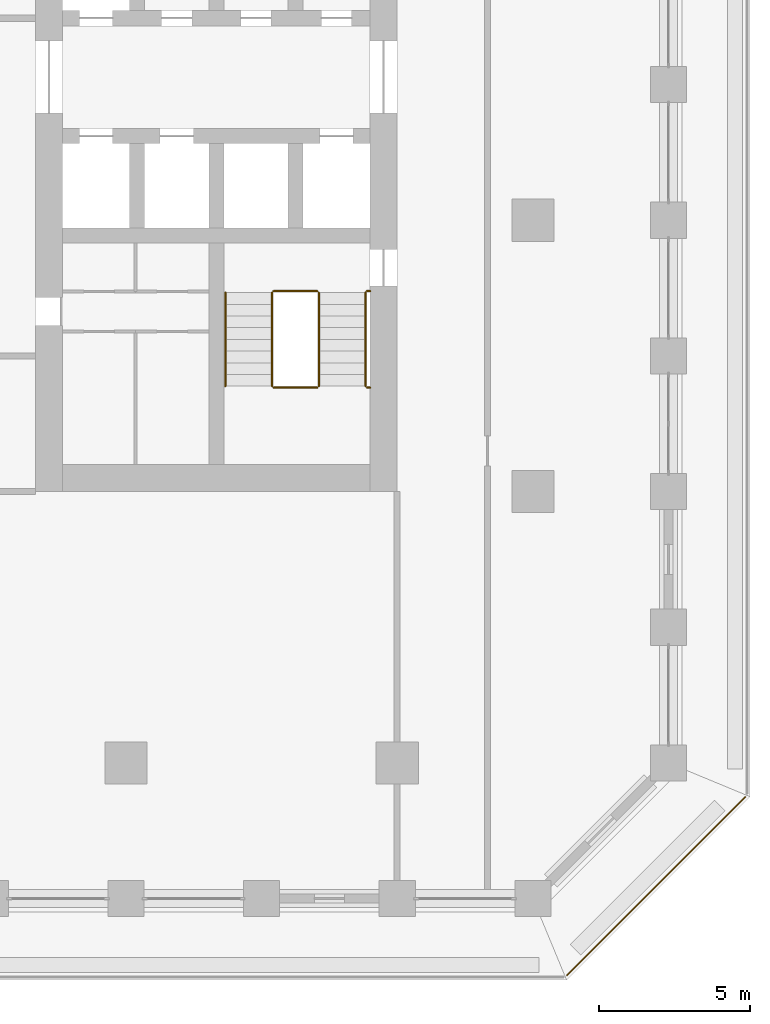
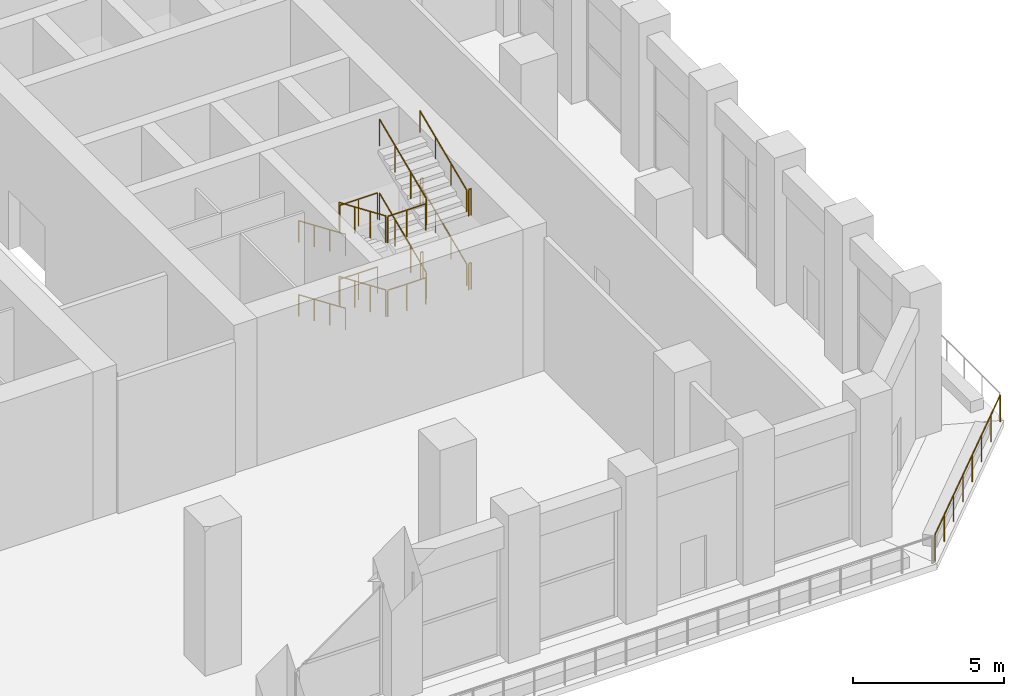
# One storey, part 19 of 24: 17 railings.
"""IFC4 building model written with IfcOpenShell, lengths in metres."""

from ifc_helpers import new_model, si_unit, direction, frame, origin, origin_2d, place, context, subcontext, project, spatial, circle, extrude, material, type_object, element, save


model = new_model("IFC4")

# Units and contexts
model_context = context("Model", 3, precision=1e-05, world=origin(), true_north=direction((0.0, 1.0)))
body_context = subcontext(model_context, "Body", "Model", "MODEL_VIEW")
ifc_project = project(units=[si_unit("LENGTHUNIT", "METRE"), si_unit("AREAUNIT", "SQUARE_METRE"), si_unit("VOLUMEUNIT", "CUBIC_METRE"), si_unit("PLANEANGLEUNIT", "RADIAN"), si_unit("MASSUNIT", "GRAM", prefix="KILO")], contexts=[model_context])

# Site, building, storey
site_placement = place(None, origin())
site = spatial("IfcSite", under=ifc_project, at=site_placement, CompositionType="ELEMENT")
building_placement = place(site_placement, origin())
building = spatial("IfcBuilding", under=site, at=building_placement, Name="Corbel Stack Research Tower", CompositionType="ELEMENT")
storey_placement = place(building_placement, frame((0.0, 0.0, 145.39990234375)))
storey = spatial("IfcBuildingStorey", under=building, at=storey_placement, Name="L33", CompositionType="ELEMENT", Elevation=145.39990234375)

# Railings
ifc_material_1 = material(Name="Steel S355", Category="steel")
railing_type_1 = type_object("IfcRailingType", Name="Stair guard 1100", PredefinedType="GUARDRAIL", material=ifc_material_1)
railing_1_placement = place(storey_placement, frame((13.85009765625, -2.39990234375, 0.166748046875)))
element("IfcRailing", 1, at=railing_1_placement, inside=storey, type_object=railing_type_1, Name="L33 ST-E1 stair guard 1", PredefinedType="GUARDRAIL", context=body_context, shape_type="SweptSolid", body=[
    extrude(circle(Radius=0.02392578125, at=origin_2d()), frame((0.0, 0.0, 1.076171875), z_axis=(0.0, -0.918826996994, 0.394660549834), x_axis=(1.0, 0.0, 0.0)), (0.0, 0.0, 1.0), 3.378173828125),
    extrude(circle(Radius=0.02099609375, at=origin_2d()), origin(), (0.0, 0.0, 1.0), 1.052001953125),
    extrude(circle(Radius=0.02099609375, at=origin_2d()), frame((0.0, -1.03466796875, 0.4443359375)), (0.0, 0.0, 1.0), 1.052001953125),
    extrude(circle(Radius=0.02099609375, at=origin_2d()), frame((0.0, -2.0693359375, 0.888916015625)), (0.0, 0.0, 1.0), 1.052001953125),
    extrude(circle(Radius=0.02099609375, at=origin_2d()), frame((0.0, -3.10400390625, 1.333251953125)), (0.0, 0.0, 1.0), 1.052001953125),
])
railing_2_placement = place(storey_placement, frame((13.89990234375, -5.553955078125, 1.5)))
element("IfcRailing", 2, at=railing_2_placement, inside=storey, type_object=railing_type_1, Name="L33 ST-E1 stair guard 2", PredefinedType="GUARDRAIL", context=body_context, shape_type="SweptSolid", body=[
    extrude(circle(Radius=0.02392578125, at=origin_2d()), frame((0.0, 0.0, 1.076171875), z_axis=(1.0, 0.0, 0.0), x_axis=(0.0, 1.0, 0.0)), (0.0, 0.0, 1.0), 1.4501953125),
    extrude(circle(Radius=0.02099609375, at=origin_2d()), origin(), (0.0, 0.0, 1.0), 1.052001953125),
    extrude(circle(Radius=0.02099609375, at=origin_2d()), frame((0.72509765625, 0.0, 0.0)), (0.0, 0.0, 1.0), 1.052001953125),
    extrude(circle(Radius=0.02099609375, at=origin_2d()), frame((1.4501953125, 0.0, 0.0)), (0.0, 0.0, 1.0), 1.052001953125),
])
railing_3_placement = place(storey_placement, frame((17.0, -5.553955078125, 1.5)))
element("IfcRailing", 3, at=railing_3_placement, inside=storey, type_object=railing_type_1, Name="L33 ST-E1 stair guard 3", PredefinedType="GUARDRAIL", context=body_context, shape_type="SweptSolid", body=[
    extrude(circle(Radius=0.02392578125, at=origin_2d()), frame((0.0, 0.0, 1.076171875), z_axis=(1.0, 0.0, 0.0), x_axis=(0.0, 1.0, 0.0)), (0.0, 0.0, 1.0), 0.10009765625),
    extrude(circle(Radius=0.02099609375, at=origin_2d()), origin(), (0.0, 0.0, 1.0), 1.052001953125),
    extrude(circle(Radius=0.02099609375, at=origin_2d()), frame((0.10009765625, 0.0, 0.0)), (0.0, 0.0, 1.0), 1.052001953125),
])
railing_4_placement = place(storey_placement, frame((15.39990234375, -5.50390625, 1.666748046875)))
element("IfcRailing", 4, at=railing_4_placement, inside=storey, type_object=railing_type_1, Name="L33 ST-E1 stair guard 4", PredefinedType="GUARDRAIL", context=body_context, shape_type="SweptSolid", body=[
    extrude(circle(Radius=0.02392578125, at=origin_2d()), frame((0.0, 0.0, 1.076171875), z_axis=(0.0, 0.918826996994, 0.394660549834), x_axis=(-1.0, 0.0, 0.0)), (0.0, 0.0, 1.0), 3.378173828125),
    extrude(circle(Radius=0.02099609375, at=origin_2d()), origin(), (0.0, 0.0, 1.0), 1.052001953125),
    extrude(circle(Radius=0.02099609375, at=origin_2d()), frame((0.0, 1.03466796875, 0.4443359375)), (0.0, 0.0, 1.0), 1.052001953125),
    extrude(circle(Radius=0.02099609375, at=origin_2d()), frame((0.0, 2.0693359375, 0.888916015625)), (0.0, 0.0, 1.0), 1.052001953125),
    extrude(circle(Radius=0.02099609375, at=origin_2d()), frame((0.0, 3.10400390625, 1.333251953125)), (0.0, 0.0, 1.0), 1.052001953125),
])
railing_5_placement = place(storey_placement, frame((13.89990234375, -2.35009765625, 3.0)))
element("IfcRailing", 5, at=railing_5_placement, inside=storey, type_object=railing_type_1, Name="L33 ST-E1 stair guard 5", PredefinedType="GUARDRAIL", context=body_context, shape_type="SweptSolid", body=[
    extrude(circle(Radius=0.02392578125, at=origin_2d()), frame((0.0, 0.0, 1.076171875), z_axis=(1.0, 0.0, 0.0), x_axis=(0.0, 1.0, 0.0)), (0.0, 0.0, 1.0), 1.4501953125),
    extrude(circle(Radius=0.02099609375, at=origin_2d()), origin(), (0.0, 0.0, 1.0), 1.052001953125),
    extrude(circle(Radius=0.02099609375, at=origin_2d()), frame((0.72509765625, 0.0, 0.0)), (0.0, 0.0, 1.0), 1.052001953125),
    extrude(circle(Radius=0.02099609375, at=origin_2d()), frame((1.4501953125, 0.0, 0.0)), (0.0, 0.0, 1.0), 1.052001953125),
])
railing_6_placement = place(storey_placement, frame((17.0, -2.35009765625, 3.0)))
element("IfcRailing", 6, at=railing_6_placement, inside=storey, type_object=railing_type_1, Name="L33 ST-E1 stair guard 6", PredefinedType="GUARDRAIL", context=body_context, shape_type="SweptSolid", body=[
    extrude(circle(Radius=0.02392578125, at=origin_2d()), frame((0.0, 0.0, 1.076171875), z_axis=(1.0, 0.0, 0.0), x_axis=(0.0, 1.0, 0.0)), (0.0, 0.0, 1.0), 0.10009765625),
    extrude(circle(Radius=0.02099609375, at=origin_2d()), origin(), (0.0, 0.0, 1.0), 1.052001953125),
    extrude(circle(Radius=0.02099609375, at=origin_2d()), frame((0.10009765625, 0.0, 0.0)), (0.0, 0.0, 1.0), 1.052001953125),
])
railing_7_placement = place(storey_placement, frame((13.85009765625, -2.39990234375, 3.166748046875)))
element("IfcRailing", 7, at=railing_7_placement, inside=storey, type_object=railing_type_1, Name="L33 ST-E1 stair guard 7", PredefinedType="GUARDRAIL", context=body_context, shape_type="SweptSolid", body=[
    extrude(circle(Radius=0.02392578125, at=origin_2d()), frame((0.0, 0.0, 1.076171875), z_axis=(0.0, -0.918826996994, 0.394660549834), x_axis=(1.0, 0.0, 0.0)), (0.0, 0.0, 1.0), 3.378173828125),
    extrude(circle(Radius=0.02099609375, at=origin_2d()), origin(), (0.0, 0.0, 1.0), 1.052001953125),
    extrude(circle(Radius=0.02099609375, at=origin_2d()), frame((0.0, -1.03466796875, 0.4443359375)), (0.0, 0.0, 1.0), 1.052001953125),
    extrude(circle(Radius=0.02099609375, at=origin_2d()), frame((0.0, -2.0693359375, 0.888916015625)), (0.0, 0.0, 1.0), 1.052001953125),
    extrude(circle(Radius=0.02099609375, at=origin_2d()), frame((0.0, -3.10400390625, 1.333251953125)), (0.0, 0.0, 1.0), 1.052001953125),
])
railing_8_placement = place(storey_placement, frame((13.89990234375, -5.553955078125, 4.5)))
element("IfcRailing", 8, at=railing_8_placement, inside=storey, type_object=railing_type_1, Name="L33 ST-E1 stair guard 8", PredefinedType="GUARDRAIL", context=body_context, shape_type="SweptSolid", body=[
    extrude(circle(Radius=0.02392578125, at=origin_2d()), frame((0.0, 0.0, 1.076171875), z_axis=(1.0, 0.0, 0.0), x_axis=(0.0, 1.0, 0.0)), (0.0, 0.0, 1.0), 1.4501953125),
    extrude(circle(Radius=0.02099609375, at=origin_2d()), origin(), (0.0, 0.0, 1.0), 1.052001953125),
    extrude(circle(Radius=0.02099609375, at=origin_2d()), frame((0.72509765625, 0.0, 0.0)), (0.0, 0.0, 1.0), 1.052001953125),
    extrude(circle(Radius=0.02099609375, at=origin_2d()), frame((1.4501953125, 0.0, 0.0)), (0.0, 0.0, 1.0), 1.052001953125),
])
railing_9_placement = place(storey_placement, frame((17.0, -5.553955078125, 4.5)))
element("IfcRailing", 9, at=railing_9_placement, inside=storey, type_object=railing_type_1, Name="L33 ST-E1 stair guard 9", PredefinedType="GUARDRAIL", context=body_context, shape_type="SweptSolid", body=[
    extrude(circle(Radius=0.02392578125, at=origin_2d()), frame((0.0, 0.0, 1.076171875), z_axis=(1.0, 0.0, 0.0), x_axis=(0.0, 1.0, 0.0)), (0.0, 0.0, 1.0), 0.10009765625),
    extrude(circle(Radius=0.02099609375, at=origin_2d()), origin(), (0.0, 0.0, 1.0), 1.052001953125),
    extrude(circle(Radius=0.02099609375, at=origin_2d()), frame((0.10009765625, 0.0, 0.0)), (0.0, 0.0, 1.0), 1.052001953125),
])
railing_10_placement = place(storey_placement, frame((15.39990234375, -5.50390625, 4.666748046875)))
element("IfcRailing", 10, at=railing_10_placement, inside=storey, type_object=railing_type_1, Name="L33 ST-E1 stair guard 10", PredefinedType="GUARDRAIL", context=body_context, shape_type="SweptSolid", body=[
    extrude(circle(Radius=0.02392578125, at=origin_2d()), frame((0.0, 0.0, 1.076171875), z_axis=(0.0, 0.918826996994, 0.394660549834), x_axis=(-1.0, 0.0, 0.0)), (0.0, 0.0, 1.0), 3.378173828125),
    extrude(circle(Radius=0.02099609375, at=origin_2d()), origin(), (0.0, 0.0, 1.0), 1.052001953125),
    extrude(circle(Radius=0.02099609375, at=origin_2d()), frame((0.0, 1.03466796875, 0.4443359375)), (0.0, 0.0, 1.0), 1.052001953125),
    extrude(circle(Radius=0.02099609375, at=origin_2d()), frame((0.0, 2.0693359375, 0.888916015625)), (0.0, 0.0, 1.0), 1.052001953125),
    extrude(circle(Radius=0.02099609375, at=origin_2d()), frame((0.0, 3.10400390625, 1.333251953125)), (0.0, 0.0, 1.0), 1.052001953125),
])
railing_11_placement = place(storey_placement, frame((13.89990234375, -2.35009765625, 0.0)))
element("IfcRailing", 11, at=railing_11_placement, inside=storey, type_object=railing_type_1, Name="L33 ST-E1 stair guard 11", PredefinedType="GUARDRAIL", context=body_context, shape_type="SweptSolid", body=[
    extrude(circle(Radius=0.02392578125, at=origin_2d()), frame((0.0, 0.0, 1.076171875), z_axis=(1.0, 0.0, 0.0), x_axis=(0.0, 1.0, 0.0)), (0.0, 0.0, 1.0), 1.4501953125),
    extrude(circle(Radius=0.02099609375, at=origin_2d()), origin(), (0.0, 0.0, 1.0), 1.052001953125),
    extrude(circle(Radius=0.02099609375, at=origin_2d()), frame((0.72509765625, 0.0, 0.0)), (0.0, 0.0, 1.0), 1.052001953125),
    extrude(circle(Radius=0.02099609375, at=origin_2d()), frame((1.4501953125, 0.0, 0.0)), (0.0, 0.0, 1.0), 1.052001953125),
])
railing_12_placement = place(storey_placement, frame((17.0, -2.35009765625, 0.0)))
element("IfcRailing", 12, at=railing_12_placement, inside=storey, type_object=railing_type_1, Name="L33 ST-E1 stair guard 12", PredefinedType="GUARDRAIL", context=body_context, shape_type="SweptSolid", body=[
    extrude(circle(Radius=0.02392578125, at=origin_2d()), frame((0.0, 0.0, 1.076171875), z_axis=(1.0, 0.0, 0.0), x_axis=(0.0, 1.0, 0.0)), (0.0, 0.0, 1.0), 0.10009765625),
    extrude(circle(Radius=0.02099609375, at=origin_2d()), origin(), (0.0, 0.0, 1.0), 1.052001953125),
    extrude(circle(Radius=0.02099609375, at=origin_2d()), frame((0.10009765625, 0.0, 0.0)), (0.0, 0.0, 1.0), 1.052001953125),
])
ifc_material_2 = material(Name="Steel S355", Category="steel")
railing_type_2 = type_object("IfcRailingType", Name="Stair handrail 900", PredefinedType="HANDRAIL", material=ifc_material_2)
railing_13_placement = place(storey_placement, frame((12.300048828125, -2.39990234375, 0.166748046875)))
element("IfcRailing", 13, at=railing_13_placement, inside=storey, type_object=railing_type_2, Name="L33 ST-E1 stair handrail 1", PredefinedType="HANDRAIL", context=body_context, shape_type="SweptSolid", body=[
    extrude(circle(Radius=0.02392578125, at=origin_2d()), frame((0.0, 0.0, 0.8759765625), z_axis=(0.0, -0.918826996994, 0.394660549834), x_axis=(1.0, 0.0, 0.0)), (0.0, 0.0, 1.0), 3.378173828125),
    extrude(circle(Radius=0.02099609375, at=origin_2d()), origin(), (0.0, 0.0, 1.0), 0.851806640625),
    extrude(circle(Radius=0.02099609375, at=origin_2d()), frame((0.0, -1.03466796875, 0.4443359375)), (0.0, 0.0, 1.0), 0.851806640625),
    extrude(circle(Radius=0.02099609375, at=origin_2d()), frame((0.0, -2.0693359375, 0.888916015625)), (0.0, 0.0, 1.0), 0.851806640625),
    extrude(circle(Radius=0.02099609375, at=origin_2d()), frame((0.0, -3.10400390625, 1.333251953125)), (0.0, 0.0, 1.0), 0.851806640625),
])
railing_14_placement = place(storey_placement, frame((16.949951171875, -5.50390625, 1.666748046875)))
element("IfcRailing", 14, at=railing_14_placement, inside=storey, type_object=railing_type_2, Name="L33 ST-E1 stair handrail 2", PredefinedType="HANDRAIL", context=body_context, shape_type="SweptSolid", body=[
    extrude(circle(Radius=0.02392578125, at=origin_2d()), frame((0.0, 0.0, 0.8759765625), z_axis=(0.0, 0.918826996994, 0.394660549834), x_axis=(-1.0, 0.0, 0.0)), (0.0, 0.0, 1.0), 3.378173828125),
    extrude(circle(Radius=0.02099609375, at=origin_2d()), origin(), (0.0, 0.0, 1.0), 0.851806640625),
    extrude(circle(Radius=0.02099609375, at=origin_2d()), frame((0.0, 1.03466796875, 0.4443359375)), (0.0, 0.0, 1.0), 0.851806640625),
    extrude(circle(Radius=0.02099609375, at=origin_2d()), frame((0.0, 2.0693359375, 0.888916015625)), (0.0, 0.0, 1.0), 0.851806640625),
    extrude(circle(Radius=0.02099609375, at=origin_2d()), frame((0.0, 3.10400390625, 1.333251953125)), (0.0, 0.0, 1.0), 0.851806640625),
])
railing_15_placement = place(storey_placement, frame((12.300048828125, -2.39990234375, 3.166748046875)))
element("IfcRailing", 15, at=railing_15_placement, inside=storey, type_object=railing_type_2, Name="L33 ST-E1 stair handrail 3", PredefinedType="HANDRAIL", context=body_context, shape_type="SweptSolid", body=[
    extrude(circle(Radius=0.02392578125, at=origin_2d()), frame((0.0, 0.0, 0.8759765625), z_axis=(0.0, -0.918826996994, 0.394660549834), x_axis=(1.0, 0.0, 0.0)), (0.0, 0.0, 1.0), 3.378173828125),
    extrude(circle(Radius=0.02099609375, at=origin_2d()), origin(), (0.0, 0.0, 1.0), 0.851806640625),
    extrude(circle(Radius=0.02099609375, at=origin_2d()), frame((0.0, -1.03466796875, 0.4443359375)), (0.0, 0.0, 1.0), 0.851806640625),
    extrude(circle(Radius=0.02099609375, at=origin_2d()), frame((0.0, -2.0693359375, 0.888916015625)), (0.0, 0.0, 1.0), 0.851806640625),
    extrude(circle(Radius=0.02099609375, at=origin_2d()), frame((0.0, -3.10400390625, 1.333251953125)), (0.0, 0.0, 1.0), 0.851806640625),
])
railing_16_placement = place(storey_placement, frame((16.949951171875, -5.50390625, 4.666748046875)))
element("IfcRailing", 16, at=railing_16_placement, inside=storey, type_object=railing_type_2, Name="L33 ST-E1 stair handrail 4", PredefinedType="HANDRAIL", context=body_context, shape_type="SweptSolid", body=[
    extrude(circle(Radius=0.02392578125, at=origin_2d()), frame((0.0, 0.0, 0.8759765625), z_axis=(0.0, 0.918826996994, 0.394660549834), x_axis=(-1.0, 0.0, 0.0)), (0.0, 0.0, 1.0), 3.378173828125),
    extrude(circle(Radius=0.02099609375, at=origin_2d()), origin(), (0.0, 0.0, 1.0), 0.851806640625),
    extrude(circle(Radius=0.02099609375, at=origin_2d()), frame((0.0, 1.03466796875, 0.4443359375)), (0.0, 0.0, 1.0), 0.851806640625),
    extrude(circle(Radius=0.02099609375, at=origin_2d()), frame((0.0, 2.0693359375, 0.888916015625)), (0.0, 0.0, 1.0), 0.851806640625),
    extrude(circle(Radius=0.02099609375, at=origin_2d()), frame((0.0, 3.10400390625, 1.333251953125)), (0.0, 0.0, 1.0), 0.851806640625),
])
ifc_material_3 = material(Name="Powder-coated steel guard", Category="steel")
railing_type_3 = type_object("IfcRailingType", Name="Steel and glass guard 1100", PredefinedType="GUARDRAIL", material=ifc_material_3)
railing_17_placement = place(storey_placement, frame((23.627685546875, -25.04931640625, 0.0)))
element("IfcRailing", 17, at=railing_17_placement, inside=storey, type_object=railing_type_3, Name="Loggia guard L33 SE", PredefinedType="GUARDRAIL", context=body_context, shape_type="SweptSolid", body=[
    extrude(circle(Radius=0.02392578125, at=origin_2d()), frame((0.0, 0.0, 1.076171875), z_axis=(0.707106781187, 0.707106781187, 0.0), x_axis=(-0.707106781187, 0.707106781187, 0.0)), (0.0, 0.0, 1.0), 8.37451171875),
    extrude(circle(Radius=0.02099609375, at=origin_2d()), origin(), (0.0, 0.0, 1.0), 1.052001953125),
    extrude(circle(Radius=0.02099609375, at=origin_2d()), frame((0.845947265625, 0.845947265625, 0.0)), (0.0, 0.0, 1.0), 1.052001953125),
    extrude(circle(Radius=0.02099609375, at=origin_2d()), frame((1.69189453125, 1.69189453125, 0.0)), (0.0, 0.0, 1.0), 1.052001953125),
    extrude(circle(Radius=0.02099609375, at=origin_2d()), frame((2.537841796875, 2.537841796875, 0.0)), (0.0, 0.0, 1.0), 1.052001953125),
    extrude(circle(Radius=0.02099609375, at=origin_2d()), frame((3.3837890625, 3.3837890625, 0.0)), (0.0, 0.0, 1.0), 1.052001953125),
    extrude(circle(Radius=0.02099609375, at=origin_2d()), frame((4.229736328125, 4.229736328125, 0.0)), (0.0, 0.0, 1.0), 1.052001953125),
    extrude(circle(Radius=0.02099609375, at=origin_2d()), frame((5.07568359375, 5.07568359375, 0.0)), (0.0, 0.0, 1.0), 1.052001953125),
    extrude(circle(Radius=0.02099609375, at=origin_2d()), frame((5.921630859375, 5.921630859375, 0.0)), (0.0, 0.0, 1.0), 1.052001953125),
])

save(model, "model.ifc")
